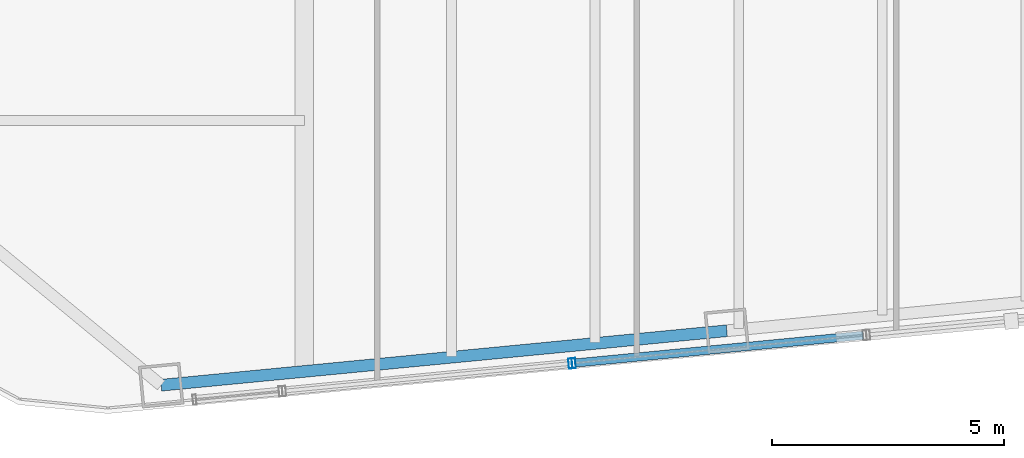
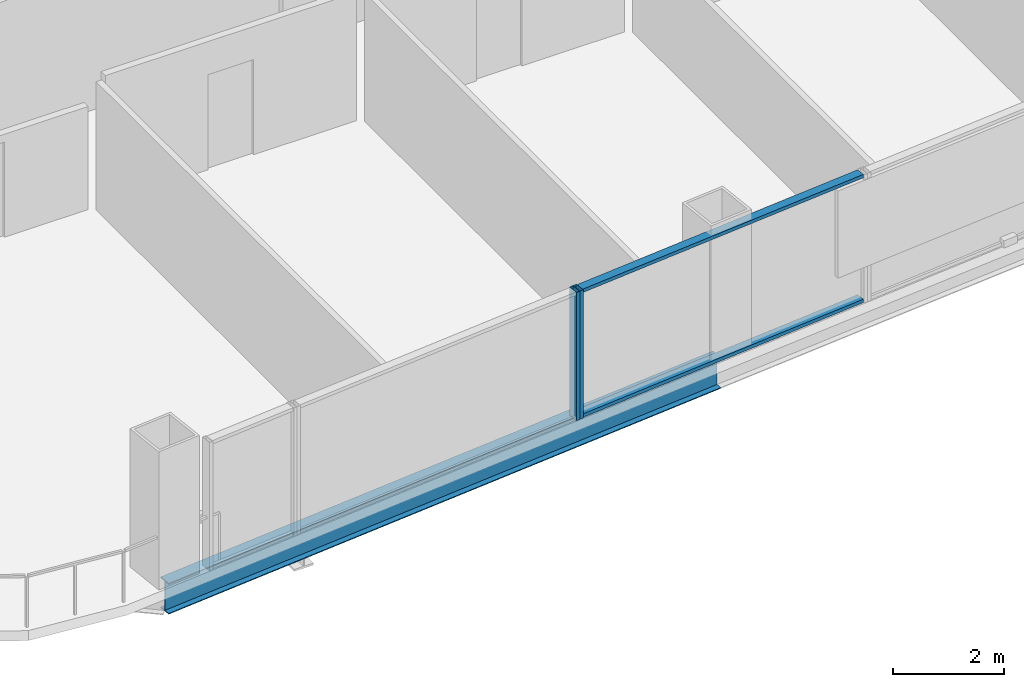
# One storey, part 4 of 34: 4 members, 1 beam, 2 elements without a shape of their own.
"""IFC4 building model written with IfcOpenShell, lengths in metres."""

from ifc_helpers import new_model, si_unit, direction, frame, origin, origin_2d, place, context, subcontext, project, spatial, hollow_rectangle, i_section, extrude, material, layer, layer_set, material_profile, profile_set, type_object, element, aggregate, save


model = new_model("IFC4")

# Units and contexts
model_context = context("Model", 3, precision=1e-05, world=origin(), true_north=direction((0.0, 1.0)))
body_context = subcontext(model_context, "Body", "Model", "MODEL_VIEW")
ifc_project = project(units=[si_unit("LENGTHUNIT", "METRE"), si_unit("AREAUNIT", "SQUARE_METRE"), si_unit("VOLUMEUNIT", "CUBIC_METRE"), si_unit("PLANEANGLEUNIT", "RADIAN"), si_unit("MASSUNIT", "GRAM", prefix="KILO")], contexts=[model_context])

# Site, building, storey
site_placement = place(None, origin())
site = spatial("IfcSite", under=ifc_project, at=site_placement, CompositionType="ELEMENT")
building_placement = place(site_placement, origin())
building = spatial("IfcBuilding", under=site, at=building_placement, Name="Qhalaya Broadcast Tower", CompositionType="ELEMENT")
storey_placement = place(building_placement, frame((0.0, 0.0, 78.60009765625)))
storey = spatial("IfcBuildingStorey", under=building, at=storey_placement, Name="L22", CompositionType="ELEMENT", Elevation=78.60009765625)

# Beam
ifc_material_1 = material(Name="Structural Steel ASTM A992 Grade 50", Category="steel")
ifc_material_profile_1 = material_profile(ifc_material_1, i_section(OverallWidth=0.25390625, OverallDepth=0.68310546875, WebThickness=0.012451171875, FlangeThickness=0.01904296875, at=origin_2d()), Name="W27X94")
ifc_profile_set_1 = profile_set([ifc_material_profile_1], Name="Structural Steel ASTM A992 Grade 50")
beam_type = type_object("IfcBeamType", Name="Perimeter Ring Spandrel Beam SP1", PredefinedType="SPANDREL", material=ifc_profile_set_1)
beam_placement = place(storey_placement, frame((-12.46533203125, -22.212646484375, -0.5615234375), z_axis=(0.99539563662, 0.095851586307, 0.0), x_axis=(-0.095851586307, 0.99539563662, 0.0)))
element("IfcBeam", 1, at=beam_placement, inside=storey, type_object=beam_type, Name="L22 SP1 L22-SPR-01", PredefinedType="SPANDREL", context=body_context, shape_type="SweptSolid", body=[
    extrude(i_section(OverallWidth=0.25390625, OverallDepth=0.68310546875, WebThickness=0.012451171875, FlangeThickness=0.01904296875, at=origin_2d()), origin(), (0.0, 0.0, 1.0), 12.2666015625),
])

# Curtain wall, member
ifc_material_2 = material(Name="Fired Architectural Terracotta", Category="masonry")
ifc_layer_1 = layer(ifc_material_2, 0.219970703125, Name="Fired Architectural Terracotta")
ifc_layer_set_1 = layer_set([ifc_layer_1], Name="Fired Architectural Terracotta")
curtain_wall_type_1 = type_object("IfcCurtainWallType", Name="Block-Cap Unitised Terracotta Spandrel Wall CW-07", PredefinedType="NOTDEFINED", material=ifc_layer_set_1)
curtain_wall_1_placement = place(storey_placement, origin())
curtain_wall_1 = element("IfcCurtainWall", 2, at=curtain_wall_1_placement, inside=storey, type_object=curtain_wall_type_1, Name="L22 Unitised Curtain Wall L22-CW-S2", PredefinedType="NOTDEFINED")
ifc_material_3 = material(Name="Anodised Aluminium 6063-T6", Category="aluminium")
ifc_material_profile_2 = material_profile(ifc_material_3, hollow_rectangle(XDim=0.074951171875, YDim=0.219970703125, WallThickness=0.00390625, at=origin_2d()), Name="ALU-MUL 75x220x4")
ifc_profile_set_2 = profile_set([ifc_material_profile_2], Name="Anodised Aluminium 6063-T6")
member_type_1 = type_object("IfcMemberType", Name="Unitised Curtain-Wall Mullion M01", PredefinedType="MULLION", material=ifc_profile_set_2)
member_1_placement = place(storey_placement, frame((-3.63330078125, -21.743896484375, 0.0), z_axis=(0.0, 0.0, 1.0), x_axis=(0.995394666059, 0.095861664819, 0.0)))
member_1 = element("IfcMember", 3, at=member_1_placement, type_object=member_type_1, Name="CW-07 mullion 2", PredefinedType="MULLION", context=body_context, shape_type="SweptSolid", body=[
    extrude(hollow_rectangle(XDim=0.074951171875, YDim=0.219970703125, WallThickness=0.00390625, at=origin_2d()), origin(), (0.0, 0.0, 1.0), 2.829833984375),
])
aggregate(curtain_wall_1, [member_1])

# Curtain wall, members
ifc_material_4 = material(Name="Solar-Control Low-E Triple Glazing", Category="glass")
ifc_layer_2 = layer(ifc_material_4, 0.219970703125, Name="Solar-Control Low-E Triple Glazing")
ifc_layer_set_2 = layer_set([ifc_layer_2], Name="Solar-Control Low-E Triple Glazing")
curtain_wall_type_2 = type_object("IfcCurtainWallType", Name="Even-Block 4-Storey Double-Module Curtain Wall CW-03", PredefinedType="NOTDEFINED", material=ifc_layer_set_2)
curtain_wall_2_placement = place(storey_placement, origin())
curtain_wall_2 = element("IfcCurtainWall", 4, at=curtain_wall_2_placement, inside=storey, type_object=curtain_wall_type_2, Name="L22 Unitised Curtain Wall L22-CW-S3", PredefinedType="NOTDEFINED")
member_2_placement = place(storey_placement, frame((-3.55859375, -21.73681640625, 0.0), z_axis=(0.0, 0.0, 1.0), x_axis=(0.99539731409, 0.095834164588, 0.0)))
member_2 = element("IfcMember", 5, at=member_2_placement, type_object=member_type_1, Name="CW-03 mullion 1", PredefinedType="MULLION", context=body_context, shape_type="SweptSolid", body=[
    extrude(hollow_rectangle(XDim=0.074951171875, YDim=0.219970703125, WallThickness=0.00390625, at=origin_2d()), origin(), (0.0, 0.0, 1.0), 2.829833984375),
])
ifc_material_profile_3 = material_profile(ifc_material_3, hollow_rectangle(XDim=0.074951171875, YDim=0.179931640625, WallThickness=0.00390625, at=origin_2d()), Name="ALU-TRN 75x180x4")
ifc_profile_set_3 = profile_set([ifc_material_profile_3], Name="Anodised Aluminium 6063-T6")
member_type_2 = type_object("IfcMemberType", Name="Unitised Curtain-Wall Transom T01", PredefinedType="USERDEFINED", material=ifc_profile_set_3)
member_3_placement = place(storey_placement, frame((-3.521240234375, -21.733154296875, 0.037353515625), z_axis=(0.995395316305, 0.095854912644, 0.0), x_axis=(0.0, 0.0, 1.0)))
member_3 = element("IfcMember", 6, at=member_3_placement, type_object=member_type_2, Name="CW-03 transom 1.1", ObjectType="TRANSOM", PredefinedType="USERDEFINED", context=body_context, shape_type="SweptSolid", body=[
    extrude(hollow_rectangle(XDim=0.074951171875, YDim=0.179931640625, WallThickness=0.00390625, at=origin_2d()), origin(), (0.0, 0.0, 1.0), 6.235107421875),
])
member_4_placement = place(storey_placement, frame((-3.521240234375, -21.733154296875, 2.79248046875), z_axis=(0.995395316305, 0.095854912644, 0.0), x_axis=(0.0, 0.0, 1.0)))
member_4 = element("IfcMember", 7, at=member_4_placement, type_object=member_type_2, Name="CW-03 transom 1.2", ObjectType="TRANSOM", PredefinedType="USERDEFINED", context=body_context, shape_type="SweptSolid", body=[
    extrude(hollow_rectangle(XDim=0.074951171875, YDim=0.179931640625, WallThickness=0.00390625, at=origin_2d()), origin(), (0.0, 0.0, 1.0), 6.235107421875),
])
aggregate(curtain_wall_2, [member_2, member_3, member_4])

save(model, "model.ifc")
